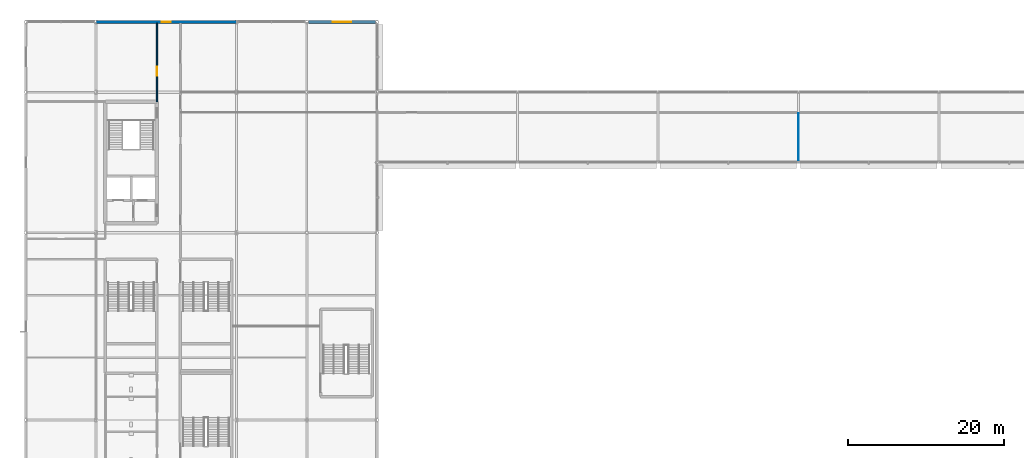
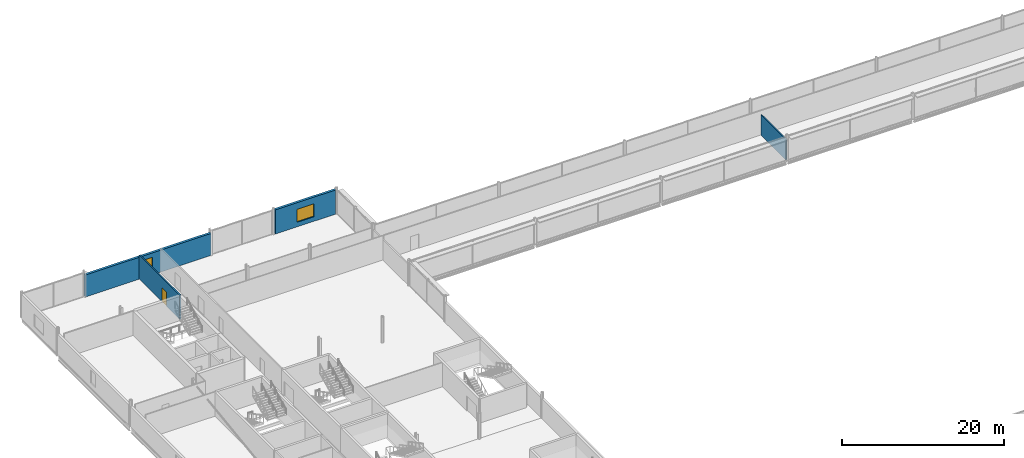
# One storey, part 58 of 96: 4 walls, 2 windows, 1 door, 3 openings.
"""IFC4 building model written with IfcOpenShell, lengths in metres."""

from ifc_helpers import new_model, si_unit, direction, frame, frame_2d, origin, place, context, subcontext, project, spatial, rectangle, extrude, material, layer, layer_set, type_object, element, fill, save


model = new_model("IFC4")

# Units and contexts
model_context = context("Model", 3, precision=1e-05, world=origin(), true_north=direction((0.0, 1.0)))
body_context = subcontext(model_context, "Body", "Model", "MODEL_VIEW")
ifc_project = project(units=[si_unit("LENGTHUNIT", "METRE"), si_unit("AREAUNIT", "SQUARE_METRE"), si_unit("VOLUMEUNIT", "CUBIC_METRE"), si_unit("PLANEANGLEUNIT", "RADIAN"), si_unit("MASSUNIT", "GRAM", prefix="KILO")], contexts=[model_context])

# Site, building, storey
site_placement = place(None, origin())
site = spatial("IfcSite", under=ifc_project, at=site_placement, CompositionType="ELEMENT")
building_placement = place(site_placement, origin())
building = spatial("IfcBuilding", under=site, at=building_placement, Name="Kisiwana Market Hall", CompositionType="ELEMENT")
storey_placement = place(building_placement, frame((0.0, 0.0, 25.5)))
storey = spatial("IfcBuildingStorey", under=building, at=storey_placement, Name="L05", CompositionType="ELEMENT", Elevation=25.5)

# Wall, opening, door
ifc_material_1 = material(Name="Masonry blockwork", Category="masonry")
ifc_layer_1 = layer(ifc_material_1, 0.169921875, Name="Protected corridor partition")
ifc_layer_set_1 = layer_set([ifc_layer_1], Name="WL-CORR-170")
wall_type_1 = type_object("IfcWallType", Name="WL-CORR-170", PredefinedType="PARTITIONING", material=ifc_layer_set_1)
wall_1_placement = place(storey_placement, frame((16.800048828125, 100.800048828125, 0.0), z_axis=(0.0, 0.0, 1.0), x_axis=(0.0, 1.0, 0.0)))
wall_1 = element("IfcWall", 1, at=wall_1_placement, inside=storey, type_object=wall_type_1, Name="Interior partition W-1843", PredefinedType="PARTITIONING", context=body_context, shape_type="SweptSolid", body=[
    extrude(rectangle(XDim=10.04248046875, YDim=0.169921875, at=frame_2d((5.021240234375, 0.0))), origin(), (0.0, 0.0, 1.0), 3.655029296875),
])
opening_1_placement = place(wall_1_placement, frame((3.300048828125, 0.0, 0.0)))
opening_1 = element("IfcOpeningElement", 2, at=opening_1_placement, cuts=wall_1, Name="Opening DR-L05-034", PredefinedType="OPENING", context=body_context, shape_type="SweptSolid", body=[
    extrude(rectangle(XDim=1.14990234375, YDim=2.14990234375, at=frame_2d((0.574951171875, 1.074951171875))), frame((0.0, 0.096923828125, 0.0), z_axis=(0.0, -1.0, 0.0), x_axis=(1.0, 0.0, 0.0)), (0.0, 0.0, 1.0), 0.19384765625),
])
ifc_material_2 = material(Name="Aluminium alloy 6063-T6", Category="aluminium")
door_type = type_object("IfcDoorType", Name="DR-MEET-1150", OperationType="NOTDEFINED", PredefinedType="DOOR", material=ifc_material_2)
door_placement = place(opening_1_placement, origin())
door = element("IfcDoor", 3, at=door_placement, inside=storey, type_object=door_type, Name="L05 W Corner Office Suite North Door", OperationType="SINGLE_SWING_LEFT", OverallHeight=2.14990234375, OverallWidth=1.14990234375, PredefinedType="DOOR", context=body_context, shape_type="SweptSolid", body=[
    extrude(rectangle(XDim=1.14990234375, YDim=2.14990234375, at=frame_2d((0.574951171875, 1.074951171875))), frame((0.0, 0.02490234375, 0.0), z_axis=(0.0, -1.0, 0.0), x_axis=(1.0, 0.0, 0.0)), (0.0, 0.0, 1.0), 0.050048828125),
])
fill(opening_1, door)

# Wall, opening, window
ifc_material_3 = material(Name="Concrete C40/50 precast", Category="concrete")
ifc_layer_2 = layer(ifc_material_3, 0.14990234375, Name="Precast architectural concrete spandrel")
ifc_material_4 = material(Name="Mineral wool insulation")
ifc_layer_3 = layer(ifc_material_4, 0.090087890625, Name="Rockwool thermal insulation")
ifc_material_5 = material(Name="Masonry blockwork", Category="masonry")
ifc_layer_4 = layer(ifc_material_5, 0.10009765625, Name="Inner masonry block leaf")
ifc_layer_set_2 = layer_set([ifc_layer_2, ifc_layer_3, ifc_layer_4], Name="WL-EXT-PREC-340")
wall_type_2 = type_object("IfcWallType", Name="WL-EXT-PREC-340", PredefinedType="STANDARD", material=ifc_layer_set_2)
wall_2_placement = place(storey_placement, frame((9.010009765625, 111.0, 0.0), z_axis=(0.0, 0.0, 1.0), x_axis=(1.0, 0.0, 0.0)))
wall_2 = element("IfcWall", 4, at=wall_2_placement, inside=storey, type_object=wall_type_2, Name="Exterior wall W-1807", PredefinedType="STANDARD", context=body_context, shape_type="SweptSolid", body=[
    extrude(rectangle(XDim=17.97998046875, YDim=0.340087890625, at=frame_2d((8.989990234375, 0.0))), origin(), (0.0, 0.0, 1.0), 3.315185546875),
])
opening_2_placement = place(wall_2_placement, frame((8.389892578125, 0.0, 0.699951171875)))
opening_2 = element("IfcOpeningElement", 5, at=opening_2_placement, cuts=wall_2, Name="Opening WN-15", PredefinedType="OPENING", context=body_context, shape_type="SweptSolid", body=[
    extrude(rectangle(XDim=1.199951171875, YDim=1.949951171875, at=frame_2d((0.60009765625, 0.97509765625))), frame((0.0, 0.18212890625, 0.0), z_axis=(0.0, -1.0, 0.0), x_axis=(1.0, 0.0, 0.0)), (0.0, 0.0, 1.0), 0.364013671875),
])
ifc_material_6 = material(Name="Double-glazed solar-control low-E IGU", Category="glass")
window_type_1 = type_object("IfcWindowType", Name="WN-OFFA-1200x1950", PartitioningType="SINGLE_PANEL", PredefinedType="WINDOW", material=ifc_material_6)
window_1_placement = place(opening_2_placement, origin())
window_1 = element("IfcWindow", 6, at=window_1_placement, inside=storey, type_object=window_type_1, Name="Exterior window WN-169", OverallHeight=1.949951171875, OverallWidth=1.199951171875, PartitioningType="SINGLE_PANEL", PredefinedType="WINDOW", context=body_context, shape_type="SweptSolid", body=[
    extrude(rectangle(XDim=1.199951171875, YDim=1.949951171875, at=frame_2d((0.60009765625, 0.97509765625))), frame((0.0, 0.030029296875, 0.0), z_axis=(0.0, -1.0, 0.0), x_axis=(1.0, 0.0, 0.0)), (0.0, 0.0, 1.0), 0.06005859375),
])
fill(opening_2, window_1)

wall_3_placement = place(storey_placement, frame((36.205078125, 111.0, 0.0), z_axis=(0.0, 0.0, 1.0), x_axis=(1.0, 0.0, 0.0)))
wall_3 = element("IfcWall", 7, at=wall_3_placement, inside=storey, type_object=wall_type_2, Name="Exterior wall W-1808", PredefinedType="STANDARD", context=body_context, shape_type="SweptSolid", body=[
    extrude(rectangle(XDim=8.58984375, YDim=0.340087890625, at=frame_2d((4.294921875, 0.0))), origin(), (0.0, 0.0, 1.0), 3.655029296875),
])
opening_3_placement = place(wall_3_placement, frame((3.0947265625, 0.0, 0.699951171875)))
opening_3 = element("IfcOpeningElement", 8, at=opening_3_placement, cuts=wall_3, Name="Opening WN-27", PredefinedType="OPENING", context=body_context, shape_type="SweptSolid", body=[
    extrude(rectangle(XDim=2.39990234375, YDim=1.949951171875, at=frame_2d((1.199951171875, 0.97509765625))), frame((0.0, 0.18212890625, 0.0), z_axis=(0.0, -1.0, 0.0), x_axis=(1.0, 0.0, 0.0)), (0.0, 0.0, 1.0), 0.364013671875),
])
ifc_material_7 = material(Name="Double-glazed solar-control low-E IGU", Category="glass")
window_type_2 = type_object("IfcWindowType", Name="WN-OFFA-2400x1950", PartitioningType="SINGLE_PANEL", PredefinedType="WINDOW", material=ifc_material_7)
window_2_placement = place(opening_3_placement, origin())
window_2 = element("IfcWindow", 9, at=window_2_placement, inside=storey, type_object=window_type_2, Name="Exterior window WN-182", OverallHeight=1.949951171875, OverallWidth=2.39990234375, PartitioningType="SINGLE_PANEL", PredefinedType="WINDOW", context=body_context, shape_type="SweptSolid", body=[
    extrude(rectangle(XDim=2.39990234375, YDim=1.949951171875, at=frame_2d((1.199951171875, 0.97509765625))), frame((0.0, 0.030029296875, 0.0), z_axis=(0.0, -1.0, 0.0), x_axis=(1.0, 0.0, 0.0)), (0.0, 0.0, 1.0), 0.06005859375),
])
fill(opening_3, window_2)

# Wall
ifc_material_8 = material(Name="Gypsum plasterboard")
ifc_layer_5 = layer(ifc_material_8, 0.125, Name="Double gypsum board + acoustic stud")
ifc_layer_set_3 = layer_set([ifc_layer_5], Name="WL-OFF-125")
wall_type_3 = type_object("IfcWallType", Name="WL-OFF-125", PredefinedType="PARTITIONING", material=ifc_layer_set_3)
wall_4_placement = place(storey_placement, frame((99.0, 93.080078125, 0.0), z_axis=(0.0, 0.0, 1.0), x_axis=(0.0, 1.0, 0.0)))
element("IfcWall", 10, at=wall_4_placement, inside=storey, type_object=wall_type_3, Name="Interior partition W-1888", PredefinedType="PARTITIONING", context=body_context, shape_type="SweptSolid", body=[
    extrude(rectangle(XDim=6.23486328125, YDim=0.125, at=frame_2d((3.117431640625, 0.0))), origin(), (0.0, 0.0, 1.0), 3.101806640625),
])

save(model, "model.ifc")
